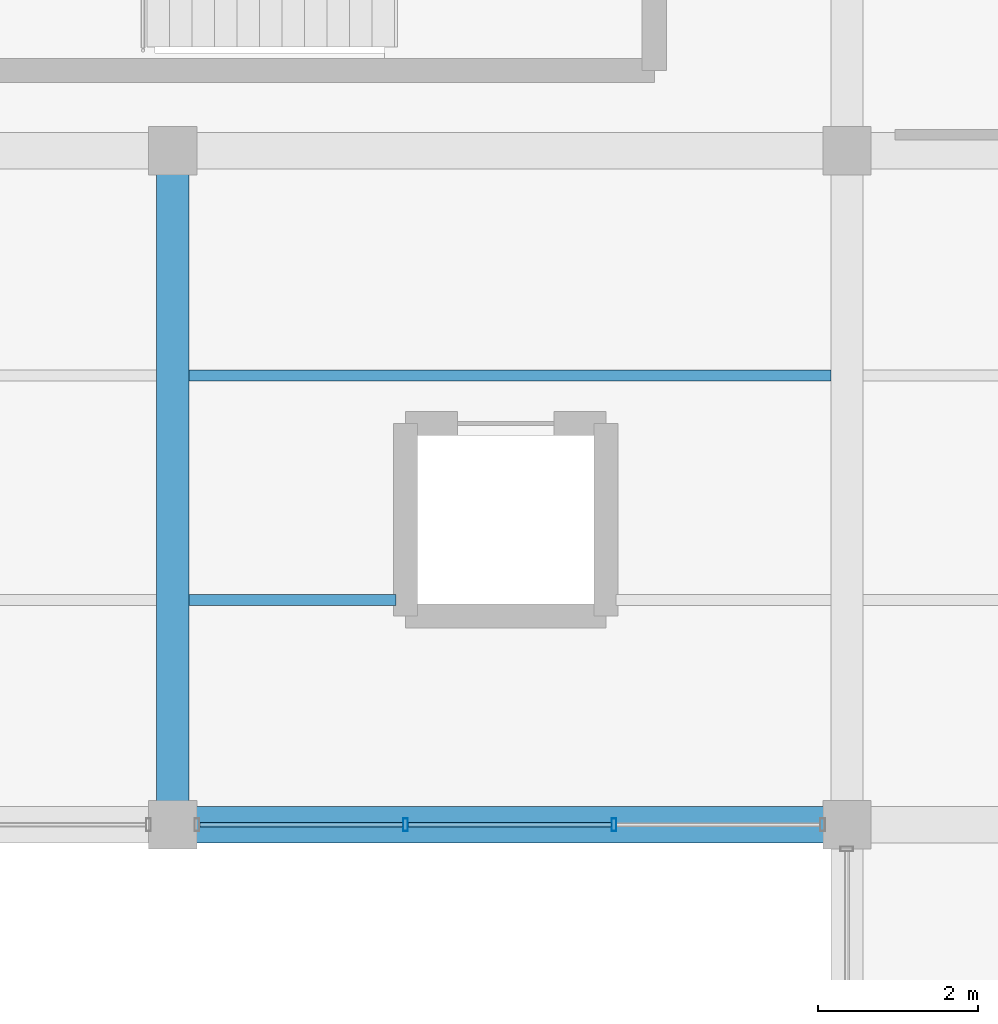
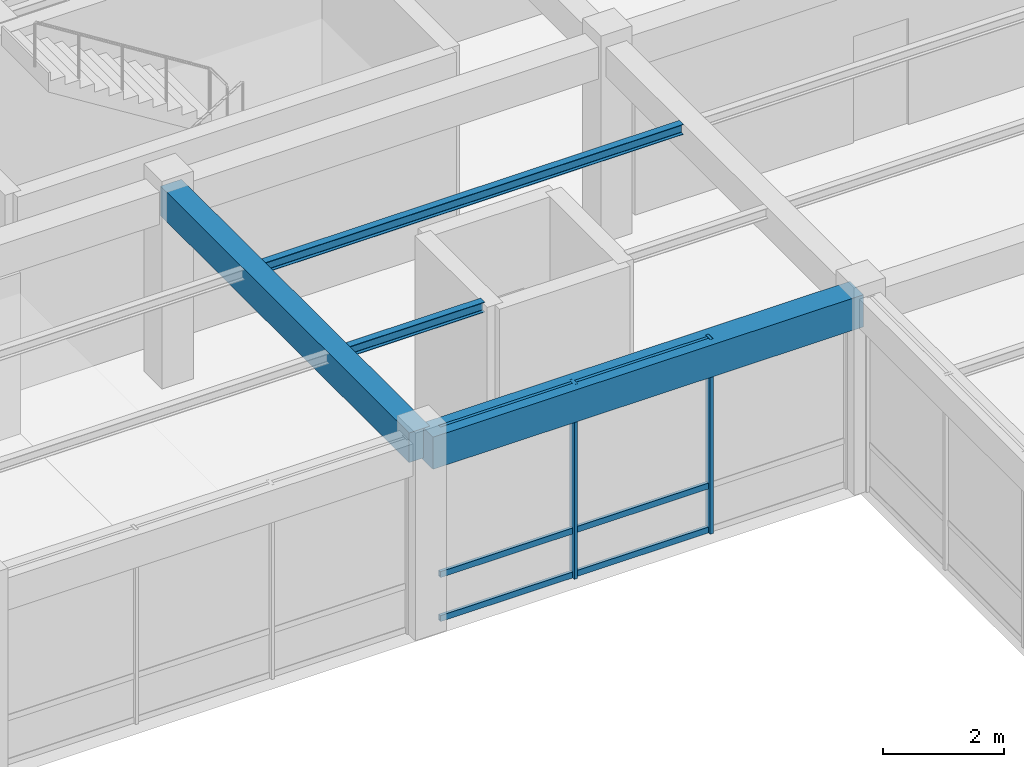
# One storey, part 18 of 114: 8 members, 4 beams, 1 element without a shape of its own.
"""IFC4 building model written with IfcOpenShell, lengths in metres."""

import ifcopenshell
import ifcopenshell.guid

model = None  # the IFC model being written
_history = None  # IfcOwnerHistory: only IFC2X3 demands one
_inside = {}  # id of a spatial element -> (the spatial element, [elements in it])
_under = {}  # id of a project, library or spatial element -> (it, [spatial elements below it])
_declared = {}  # id of a project -> (the project, [libraries it declares])
_typed = {}  # id of a type object -> (the type object, [elements of that type])
_made_of = {}  # id of a material, layer set ... -> (it, [elements and type objects made of it])


def new_model(schema):
    """Start an empty IFC model of exactly this schema.

    Asked for "IFC4X3", IfcOpenShell would pick the latest addendum, in which some entities
    have other attributes; the version numbers below select the first issue.
    IFC2X3 requires an IfcOwnerHistory on every rooted entity: one is made here for all.
    """
    global model, _history
    if schema == "IFC4X3":
        model = ifcopenshell.file(schema_version=(4, 3, 0, 0))
    else:
        model = ifcopenshell.file(schema=schema)
    _inside.clear()
    _under.clear()
    _declared.clear()
    _typed.clear()
    _made_of.clear()
    _history = None
    if model.schema == "IFC2X3":
        org = make("IfcOrganization", Name="unknown")
        user = make(
            "IfcPersonAndOrganization",
            ThePerson=make("IfcPerson", FamilyName="unknown"),
            TheOrganization=org,
        )
        app = make(
            "IfcApplication",
            ApplicationDeveloper=org,
            Version="unknown",
            ApplicationFullName="unknown",
            ApplicationIdentifier="unknown",
        )
        _history = make(
            "IfcOwnerHistory",
            OwningUser=user,
            OwningApplication=app,
            ChangeAction="ADDED",
            CreationDate=0,
        )
    return model


def make(cls, **values):
    """One entity of the class cls with the attributes given. An attribute that is None is left unset."""
    return model.create_entity(
        cls, **{name: value for name, value in values.items() if value is not None}
    )


def rooted(cls, **values):
    """An entity with a GlobalId (a new one), such as an element, a storey or a relation."""
    return make(cls, GlobalId=ifcopenshell.guid.new(), OwnerHistory=_history, **values)


def si_unit(unit_type, name, prefix=None):
    """IfcSIUnit, for example si_unit("LENGTHUNIT", "METRE", prefix="MILLI")."""
    return make("IfcSIUnit", UnitType=unit_type, Prefix=prefix, Name=name)


def assignment(units):
    """IfcUnitAssignment: the units of a project."""
    return None if units is None else make("IfcUnitAssignment", Units=units)


def point(xyz):
    """IfcCartesianPoint."""
    return None if xyz is None else make("IfcCartesianPoint", Coordinates=xyz)


def direction(xyz):
    """IfcDirection."""
    return None if xyz is None else make("IfcDirection", DirectionRatios=xyz)


def frame(location, z_axis=None, x_axis=None):
    """IfcAxis2Placement3D, a coordinate frame: its origin and axes. An axis left out is left unset."""
    return make(
        "IfcAxis2Placement3D",
        Location=point(location),
        Axis=direction(z_axis),
        RefDirection=direction(x_axis),
    )


def frame_2d(location, x_axis=None):
    """IfcAxis2Placement2D, a coordinate frame in the plane: its origin and x axis."""
    return make(
        "IfcAxis2Placement2D", Location=point(location), RefDirection=direction(x_axis)
    )


def origin():
    """The frame at (0, 0, 0) with its axes left unset."""
    return frame((0.0, 0.0, 0.0))


def origin_2d():
    """The frame at (0, 0) in the plane with its x axis left unset."""
    return frame_2d((0.0, 0.0))


def place(relative_to, where):
    """IfcLocalPlacement: puts the frame where relative to a parent placement (None: the world)."""
    return make(
        "IfcLocalPlacement", PlacementRelTo=relative_to, RelativePlacement=where
    )


def context(
    kind, dimensions, precision=None, world=None, true_north=None, identifier=None
):
    """IfcGeometricRepresentationContext, for example the 3D "Model" context."""
    return make(
        "IfcGeometricRepresentationContext",
        ContextIdentifier=identifier,
        ContextType=kind,
        CoordinateSpaceDimension=dimensions,
        Precision=precision,
        WorldCoordinateSystem=world,
        TrueNorth=true_north,
    )


def subcontext(parent, identifier, kind, view, scale=None):
    """IfcGeometricRepresentationSubContext, for example "Body" below "Model"."""
    return make(
        "IfcGeometricRepresentationSubContext",
        ContextIdentifier=identifier,
        ContextType=kind,
        ParentContext=parent,
        TargetScale=scale,
        TargetView=view,
    )


def project(units=None, contexts=None):
    """IfcProject with its units and contexts."""
    return rooted(
        "IfcProject",
        Name="project",
        RepresentationContexts=contexts,
        UnitsInContext=assignment(units),
    )


def spatial(cls, under=None, at=None, **own):
    """A site, building, storey or space (cls), placed at a placement, below another one or the project."""
    s = rooted(cls, ObjectPlacement=at, **own)
    if under is not None:
        _under.setdefault(under.id(), (under, []))[1].append(s)
    return s


def profile(cls, at=None, kind="AREA", **sizes):
    """A parametric profile (cls). Its sizes go by their IFC names, for example OverallWidth=200.0."""
    return make(cls, ProfileType=kind, Position=at, **sizes)


def rectangle(**sizes):
    """IfcRectangleProfileDef."""
    return profile("IfcRectangleProfileDef", **sizes)


def hollow_rectangle(**sizes):
    """IfcRectangleHollowProfileDef."""
    return profile("IfcRectangleHollowProfileDef", **sizes)


def i_section(**sizes):
    """IfcIShapeProfileDef."""
    return profile("IfcIShapeProfileDef", **sizes)


def extrude(swept, where, along, depth):
    """IfcExtrudedAreaSolid: the profile swept, set in the frame where, extruded along a direction by depth."""
    return make(
        "IfcExtrudedAreaSolid",
        SweptArea=swept,
        Position=where,
        ExtrudedDirection=direction(along),
        Depth=depth,
    )


def shape(context_of_items, identifier, shape_type, items):
    """IfcShapeRepresentation: the items that make up one representation, for example the "Body"."""
    return make(
        "IfcShapeRepresentation",
        ContextOfItems=context_of_items,
        RepresentationIdentifier=identifier,
        RepresentationType=shape_type,
        Items=items,
    )


def material(Name=None, Category=None):
    """IfcMaterial."""
    return make("IfcMaterial", Name=Name, Category=Category)


def material_profile(
    of_material, cross_section, Name=None, Category=None, Priority=None
):
    """IfcMaterialProfile: a cross section and its material."""
    return make(
        "IfcMaterialProfile",
        Name=Name,
        Material=of_material,
        Profile=cross_section,
        Priority=Priority,
        Category=Category,
    )


def profile_set(profiles, Name=None, composite=None):
    """IfcMaterialProfileSet."""
    return make(
        "IfcMaterialProfileSet",
        Name=Name,
        MaterialProfiles=profiles,
        CompositeProfile=composite,
    )


def made_of(thing, what):
    """Note that an element or type object is made of a material, layer set ...; save() writes the relation."""
    if what is not None:
        _made_of.setdefault(what.id(), (what, []))[1].append(thing)
    return thing


def type_object(cls, material=None, **own):
    """A type object (cls), such as IfcWallType, which elements share."""
    return made_of(rooted(cls, **own), material)


def element(
    cls,
    number,
    at=None,
    inside=None,
    cuts=None,
    type_object=None,
    material=None,
    context=None,
    identifier="Body",
    shape_type=None,
    held_by="IfcProductDefinitionShape",
    body=None,
    shapes=None,
    **own,
):
    """One element of the class cls, such as IfcWall. Its Tag is "e" and its number.

    at: its placement. inside: the storey or other place that contains it. cuts: it is an
    opening in that element (IfcRelVoidsElement). A single representation is given by context,
    identifier, shape_type and body (its items); several are given by shapes. held_by: the class
    of the entity that holds the representations. save() writes the other relations.
    """
    e = rooted(cls, Tag="e%d" % number, ObjectPlacement=at, **own)
    if body is not None:
        shapes = [shape(context, identifier, shape_type, body)]
    if shapes is not None:
        e.Representation = make(held_by, Representations=shapes)
    if inside is not None:
        _inside.setdefault(inside.id(), (inside, []))[1].append(e)
    if cuts is not None:
        rooted(
            "IfcRelVoidsElement", RelatingBuildingElement=cuts, RelatedOpeningElement=e
        )
    if type_object is not None:
        _typed.setdefault(type_object.id(), (type_object, []))[1].append(e)
    return made_of(e, material)


def aggregate(whole, parts):
    """IfcRelAggregates: a whole, such as a stair, and the parts it consists of."""
    return rooted("IfcRelAggregates", RelatingObject=whole, RelatedObjects=parts)


def save(model, path):
    """Write the relations noted so far, then the file.

    IfcRelAggregates (storeys below a building ...), IfcRelContainedInSpatialStructure (elements
    in a storey), IfcRelDefinesByType, IfcRelAssociatesMaterial and IfcRelDeclares: one each for
    every whole, place, type object, material and project.
    """
    for whole, parts in _under.values():
        aggregate(whole, parts)
    for where, things in _inside.values():
        rooted(
            "IfcRelContainedInSpatialStructure",
            RelatedElements=things,
            RelatingStructure=where,
        )
    for kind, things in _typed.values():
        rooted("IfcRelDefinesByType", RelatedObjects=things, RelatingType=kind)
    for what, things in _made_of.values():
        rooted("IfcRelAssociatesMaterial", RelatedObjects=things, RelatingMaterial=what)
    for by, libraries in _declared.values():
        rooted("IfcRelDeclares", RelatingContext=by, RelatedDefinitions=libraries)
    model.write(path)


model = new_model("IFC4")

# Units and contexts
model_context = context("Model", 3, precision=1e-05, world=origin(), true_north=direction((0.0, 1.0)))
body_context = subcontext(model_context, "Body", "Model", "MODEL_VIEW")
ifc_project = project(units=[si_unit("LENGTHUNIT", "METRE"), si_unit("AREAUNIT", "SQUARE_METRE"), si_unit("VOLUMEUNIT", "CUBIC_METRE"), si_unit("PLANEANGLEUNIT", "RADIAN"), si_unit("MASSUNIT", "GRAM", prefix="KILO"), si_unit("THERMODYNAMICTEMPERATUREUNIT", "KELVIN"), si_unit("POWERUNIT", "WATT")], contexts=[model_context])

# Site, building, storey
site_placement = place(None, origin())
site = spatial("IfcSite", under=ifc_project, at=site_placement, CompositionType="ELEMENT")
building_placement = place(site_placement, origin())
building = spatial("IfcBuilding", under=site, at=building_placement, Name="Darbajah Civic Hall", CompositionType="ELEMENT")
storey_placement = place(building_placement, frame((0.0, 0.0, 13.800048828125)))
storey = spatial("IfcBuildingStorey", under=building, at=storey_placement, Name="L03", CompositionType="ELEMENT", Elevation=13.800048828125)

# Curtain wall, members
ifc_material_1 = material(Name="Anodised Bronze Aluminium and Low-E Glazing", Category="aluminium")
curtain_wall_type = type_object("IfcCurtainWallType", Name="Unitised Curtain Wall CW-100 7800x3950", PredefinedType="USERDEFINED", material=ifc_material_1)
curtain_wall_placement = place(storey_placement, origin())
curtain_wall = element("IfcCurtainWall", 1, at=curtain_wall_placement, inside=storey, type_object=curtain_wall_type, Name="L03 unitised curtain wall CW-V5-L03-S2-B3", ObjectType="UNITISED CURTAIN WALL", PredefinedType="USERDEFINED")
ifc_material_2 = material(Name="Anodised Bronze Aluminium", Category="aluminium")
ifc_material_profile_1 = material_profile(ifc_material_2, hollow_rectangle(XDim=0.06005859375, YDim=0.159912109375, WallThickness=0.00341796875, at=origin_2d()), Name="ALU MULLION 60x160")
ifc_profile_set_1 = profile_set([ifc_material_profile_1], Name="Anodised Bronze Aluminium")
member_type_1 = type_object("IfcMemberType", Name="ALU MULLION 60x160", PredefinedType="MULLION", material=ifc_profile_set_1)
member_1_placement = place(storey_placement, frame((44.900634765625, 16.800048828125, 0.0), z_axis=(0.0, 0.0, 1.0), x_axis=(1.0, 0.0, 0.0)))
member_1 = element("IfcMember", 2, at=member_1_placement, type_object=member_type_1, Name="CW-V5-L03-S2-B3 mullion 2", PredefinedType="MULLION", context=body_context, shape_type="SweptSolid", body=[
    extrude(hollow_rectangle(XDim=0.06005859375, YDim=0.159912109375, WallThickness=0.00341796875, at=origin_2d()), origin(), (0.0, 0.0, 1.0), 3.93994140625),
])
member_2_placement = place(storey_placement, frame((47.499267578125, 16.800048828125, 0.0), z_axis=(0.0, 0.0, 1.0), x_axis=(1.0, 0.0, 0.0)))
member_2 = element("IfcMember", 3, at=member_2_placement, type_object=member_type_1, Name="CW-V5-L03-S2-B3 mullion 3", PredefinedType="MULLION", context=body_context, shape_type="SweptSolid", body=[
    extrude(hollow_rectangle(XDim=0.06005859375, YDim=0.159912109375, WallThickness=0.00341796875, at=origin_2d()), origin(), (0.0, 0.0, 1.0), 3.93994140625),
])
ifc_material_profile_2 = material_profile(ifc_material_2, hollow_rectangle(XDim=0.06005859375, YDim=0.1201171875, WallThickness=0.003173828125, at=origin_2d()), Name="ALU TRANSOM 60x120")
ifc_profile_set_2 = profile_set([ifc_material_profile_2], Name="Anodised Bronze Aluminium")
member_type_2 = type_object("IfcMemberType", Name="ALU TRANSOM 60x120", PredefinedType="USERDEFINED", material=ifc_profile_set_2)
member_3_placement = place(storey_placement, frame((42.3369140625, 16.800048828125, 0.06005859375), z_axis=(1.0, 0.0, 0.0), x_axis=(0.0, 1.0, 0.0)))
member_3 = element("IfcMember", 4, at=member_3_placement, type_object=member_type_2, Name="CW-V5-L03-S2-B3 transom 1.1", ObjectType="TRANSOM", PredefinedType="USERDEFINED", context=body_context, shape_type="SweptSolid", body=[
    extrude(hollow_rectangle(XDim=0.06005859375, YDim=0.1201171875, WallThickness=0.003173828125, at=origin_2d()), origin(), (0.0, 0.0, 1.0), 2.52880859375),
])
member_4_placement = place(storey_placement, frame((42.3369140625, 16.800048828125, 0.949951171875), z_axis=(1.0, 0.0, 0.0), x_axis=(0.0, 1.0, 0.0)))
member_4 = element("IfcMember", 5, at=member_4_placement, type_object=member_type_2, Name="CW-V5-L03-S2-B3 transom 1.2", ObjectType="TRANSOM", PredefinedType="USERDEFINED", context=body_context, shape_type="SweptSolid", body=[
    extrude(hollow_rectangle(XDim=0.06005859375, YDim=0.1201171875, WallThickness=0.003173828125, at=origin_2d()), origin(), (0.0, 0.0, 1.0), 2.52880859375),
])
member_5_placement = place(storey_placement, frame((42.3369140625, 16.800048828125, 3.8798828125), z_axis=(1.0, 0.0, 0.0), x_axis=(0.0, 1.0, 0.0)))
member_5 = element("IfcMember", 6, at=member_5_placement, type_object=member_type_2, Name="CW-V5-L03-S2-B3 transom 1.3", ObjectType="TRANSOM", PredefinedType="USERDEFINED", context=body_context, shape_type="SweptSolid", body=[
    extrude(hollow_rectangle(XDim=0.06005859375, YDim=0.1201171875, WallThickness=0.003173828125, at=origin_2d()), origin(), (0.0, 0.0, 1.0), 2.52880859375),
])
member_6_placement = place(storey_placement, frame((44.935791015625, 16.800048828125, 0.06005859375), z_axis=(1.0, 0.0, 0.0), x_axis=(0.0, 1.0, 0.0)))
member_6 = element("IfcMember", 7, at=member_6_placement, type_object=member_type_2, Name="CW-V5-L03-S2-B3 transom 2.1", ObjectType="TRANSOM", PredefinedType="USERDEFINED", context=body_context, shape_type="SweptSolid", body=[
    extrude(hollow_rectangle(XDim=0.06005859375, YDim=0.1201171875, WallThickness=0.003173828125, at=origin_2d()), origin(), (0.0, 0.0, 1.0), 2.528564453125),
])
member_7_placement = place(storey_placement, frame((44.935791015625, 16.800048828125, 0.949951171875), z_axis=(1.0, 0.0, 0.0), x_axis=(0.0, 1.0, 0.0)))
member_7 = element("IfcMember", 8, at=member_7_placement, type_object=member_type_2, Name="CW-V5-L03-S2-B3 transom 2.2", ObjectType="TRANSOM", PredefinedType="USERDEFINED", context=body_context, shape_type="SweptSolid", body=[
    extrude(hollow_rectangle(XDim=0.06005859375, YDim=0.1201171875, WallThickness=0.003173828125, at=origin_2d()), origin(), (0.0, 0.0, 1.0), 2.528564453125),
])
member_8_placement = place(storey_placement, frame((44.935791015625, 16.800048828125, 3.8798828125), z_axis=(1.0, 0.0, 0.0), x_axis=(0.0, 1.0, 0.0)))
member_8 = element("IfcMember", 9, at=member_8_placement, type_object=member_type_2, Name="CW-V5-L03-S2-B3 transom 2.3", ObjectType="TRANSOM", PredefinedType="USERDEFINED", context=body_context, shape_type="SweptSolid", body=[
    extrude(hollow_rectangle(XDim=0.06005859375, YDim=0.1201171875, WallThickness=0.003173828125, at=origin_2d()), origin(), (0.0, 0.0, 1.0), 2.528564453125),
])
aggregate(curtain_wall, [member_1, member_2, member_3, member_4, member_5, member_6, member_7, member_8])

# Beams
ifc_material_3 = material(Name="Concrete C45/55", Category="concrete")
ifc_material_profile_3 = material_profile(ifc_material_3, rectangle(XDim=0.39990234375, YDim=0.60009765625, at=origin_2d()), Name="RC BEAM 400x600")
ifc_profile_set_3 = profile_set([ifc_material_profile_3], Name="Concrete C45/55")
beam_type_1 = type_object("IfcBeamType", Name="RC BEAM 400x600", PredefinedType="BEAM", material=ifc_profile_set_3)
beam_1_placement = place(storey_placement, frame((42.0, 16.8798828125, 3.639892578125), z_axis=(0.0, 1.0, 0.0), x_axis=(-1.0, 0.0, 0.0)))
element("IfcBeam", 10, at=beam_1_placement, inside=storey, type_object=beam_type_1, Name="L03 beam BM-4060", PredefinedType="BEAM", context=body_context, shape_type="SweptSolid", body=[
    extrude(rectangle(XDim=0.39990234375, YDim=0.60009765625, at=origin_2d()), origin(), (0.0, 0.0, 1.0), 8.240234375),
])
ifc_material_profile_4 = material_profile(ifc_material_3, rectangle(XDim=0.449951171875, YDim=0.64990234375, at=origin_2d()), Name="RC BEAM 450x650")
ifc_profile_set_4 = profile_set([ifc_material_profile_4], Name="Concrete C45/55")
beam_type_2 = type_object("IfcBeamType", Name="RC BEAM 450x650", PredefinedType="BEAM", material=ifc_profile_set_4)
beam_2_placement = place(storey_placement, frame((42.080078125, 16.800048828125, 3.614990234375), z_axis=(1.0, 0.0, 0.0), x_axis=(0.0, 1.0, 0.0)))
element("IfcBeam", 11, at=beam_2_placement, inside=storey, type_object=beam_type_2, Name="L03 beam BM-4565", PredefinedType="BEAM", context=body_context, shape_type="SweptSolid", body=[
    extrude(rectangle(XDim=0.449951171875, YDim=0.64990234375, at=origin_2d()), origin(), (0.0, 0.0, 1.0), 8.239990234375),
])
ifc_material_4 = material(Name="Steel S355JR", Category="steel")
ifc_material_profile_5 = material_profile(ifc_material_4, i_section(OverallWidth=0.1337890625, OverallDepth=0.206787109375, WebThickness=0.00634765625, FlangeThickness=0.009521484375, FilletRadius=0.007568359375, at=origin_2d()), Name="UB 203x133x30")
ifc_profile_set_5 = profile_set([ifc_material_profile_5], Name="Steel S355JR")
beam_type_3 = type_object("IfcBeamType", Name="UB 203x133x30", PredefinedType="JOIST", material=ifc_profile_set_5)
beam_3_placement = place(storey_placement, frame((42.199951171875, 19.60009765625, 3.836669921875), z_axis=(1.0, 0.0, 0.0), x_axis=(0.0, 1.0, 0.0)))
element("IfcBeam", 12, at=beam_3_placement, inside=storey, type_object=beam_type_3, Name="L03 beam SJ-203", PredefinedType="JOIST", context=body_context, shape_type="SweptSolid", body=[
    extrude(i_section(OverallWidth=0.1337890625, OverallDepth=0.206787109375, WebThickness=0.00634765625, FlangeThickness=0.009521484375, FilletRadius=0.007568359375, at=origin_2d()), origin(), (0.0, 0.0, 1.0), 2.580078125),
])
beam_4_placement = place(storey_placement, frame((42.199951171875, 22.39990234375, 3.836669921875), z_axis=(1.0, 0.0, 0.0), x_axis=(0.0, 1.0, 0.0)))
element("IfcBeam", 13, at=beam_4_placement, inside=storey, type_object=beam_type_3, Name="L03 beam SJ-203", PredefinedType="JOIST", context=body_context, shape_type="SweptSolid", body=[
    extrude(i_section(OverallWidth=0.1337890625, OverallDepth=0.206787109375, WebThickness=0.00634765625, FlangeThickness=0.009521484375, FilletRadius=0.007568359375, at=origin_2d()), origin(), (0.0, 0.0, 1.0), 8.0),
])

save(model, "model.ifc")
